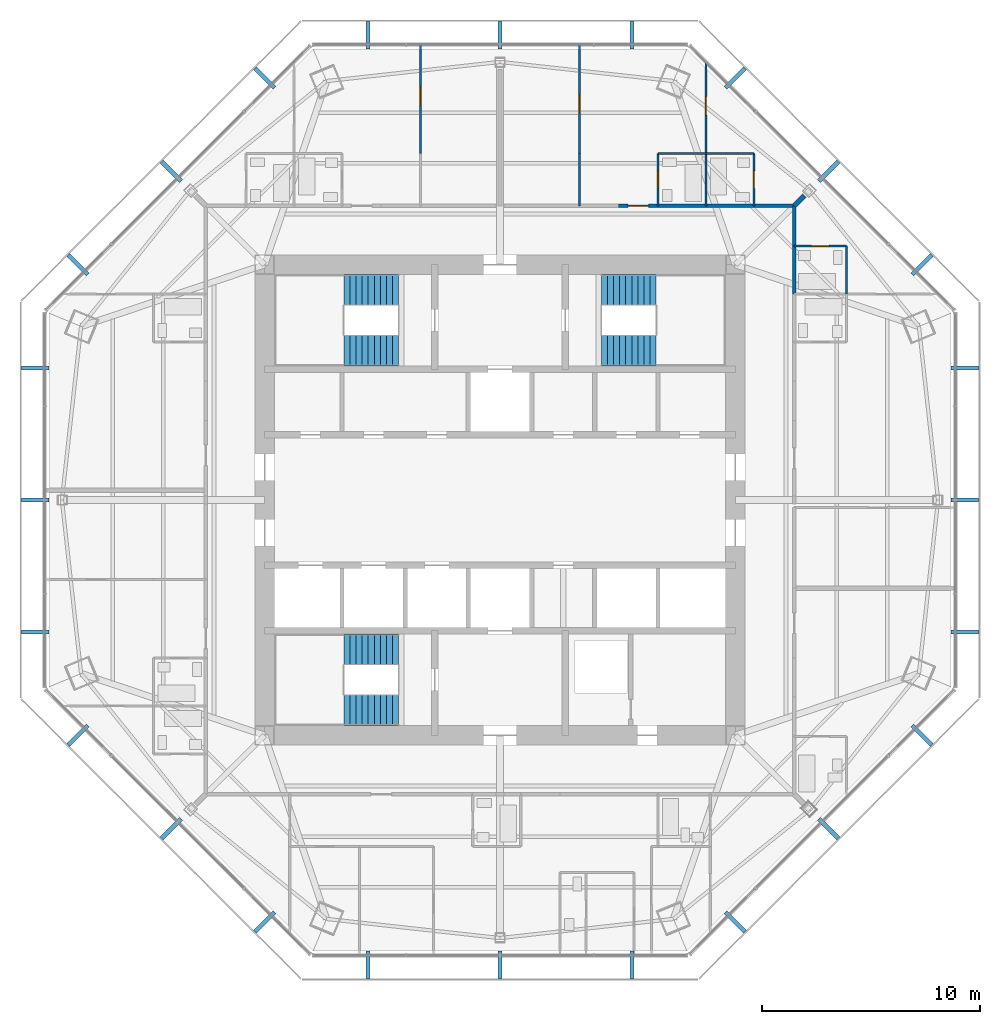
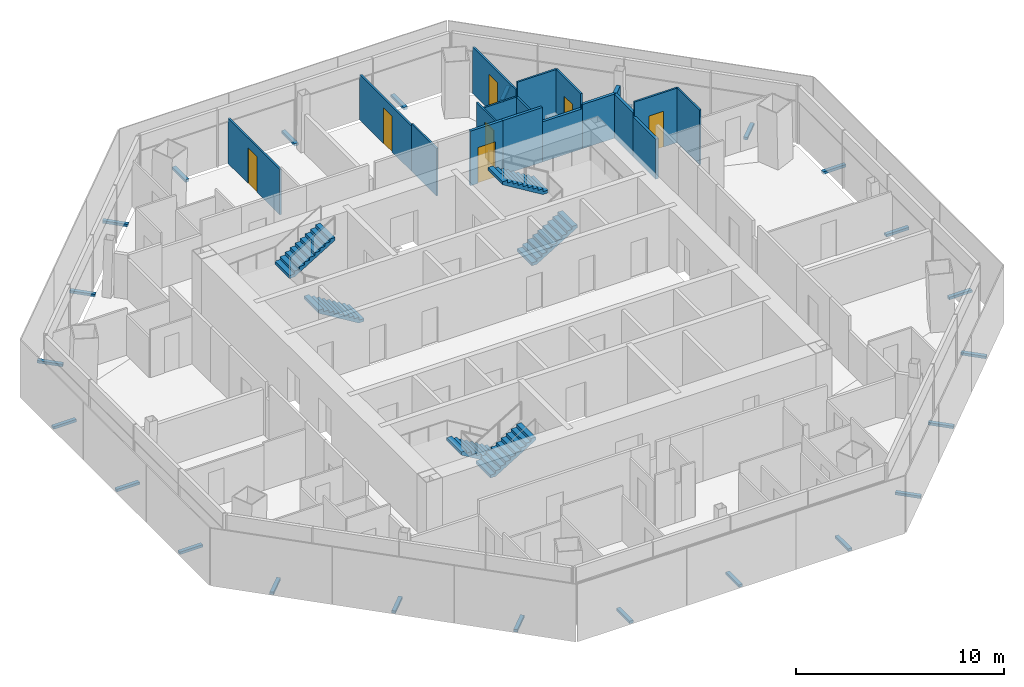
# One storey, part 12 of 14: 24 discrete accessories, 18 walls, 7 doors, 6 stair flights, 7 openings, 3 elements without a shape of their own.
"""IFC4 building model written with IfcOpenShell, lengths in metres."""

from ifc_helpers import new_model, si_unit, direction, frame, frame_2d, origin, origin_2d, place, context, subcontext, project, spatial, polyline, rectangle, outline, extrude, source, transform, mapped, material, layer, layer_set, type_object, type_shapes, element, fill, aggregate, save


model = new_model("IFC4")

# Units and contexts
model_context = context("Model", 3, precision=1e-05, world=origin(), true_north=direction((0.0, 1.0)))
body_context = subcontext(model_context, "Body", "Model", "MODEL_VIEW")
ifc_project = project(units=[si_unit("LENGTHUNIT", "METRE"), si_unit("AREAUNIT", "SQUARE_METRE"), si_unit("VOLUMEUNIT", "CUBIC_METRE"), si_unit("PLANEANGLEUNIT", "RADIAN"), si_unit("MASSUNIT", "GRAM", prefix="KILO")], contexts=[model_context])

# Site, building, storey
site_placement = place(None, origin())
site = spatial("IfcSite", under=ifc_project, at=site_placement, CompositionType="ELEMENT")
building_placement = place(site_placement, origin())
building = spatial("IfcBuilding", under=site, at=building_placement, Name="Mashrafa Tower", CompositionType="ELEMENT")
storey_placement = place(building_placement, frame((0.0, 0.0, 251.60009765625)))
storey = spatial("IfcBuildingStorey", under=building, at=storey_placement, Name="L60", CompositionType="ELEMENT", Elevation=251.60009765625)

# Walls
ifc_material_1 = material(Name="Gypsum board on steel studs", Category="steel")
ifc_layer_1 = layer(ifc_material_1, 0.199951171875)
ifc_layer_set_1 = layer_set([ifc_layer_1], Name="Acoustic partition 200 1 hr")
wall_type_1 = type_object("IfcWallType", Name="Acoustic partition 200 1 hr", PredefinedType="PARTITIONING", material=ifc_layer_set_1)
wall_1_placement = place(storey_placement, frame((13.97021484375, 13.97021484375, 0.0), z_axis=(0.0, 0.0, 1.0), x_axis=(-0.707106781187, -0.707106781187, 0.0)))
element("IfcWall", 1, at=wall_1_placement, inside=storey, type_object=wall_type_1, Name="Acoustic wall L60-055", PredefinedType="PARTITIONING", context=body_context, shape_type="SweptSolid", body=[
    extrude(rectangle(XDim=0.6650390625, YDim=0.199951171875, at=frame_2d((0.33251953125, 0.0))), origin(), (0.0, 0.0, 1.0), 2.587890625),
])
ifc_material_2 = material(Name="Gypsum board on steel studs", Category="steel")
ifc_layer_2 = layer(ifc_material_2, 0.14990234375)
ifc_layer_set_2 = layer_set([ifc_layer_2], Name="Corridor partition 150 1 hr")
wall_type_2 = type_object("IfcWallType", Name="Corridor partition 150 1 hr", PredefinedType="PARTITIONING", material=ifc_layer_set_2)
wall_2_placement = place(storey_placement, frame((13.5, 9.448974609375, 0.0), z_axis=(0.0, 0.0, 1.0), x_axis=(0.0, 1.0, 0.0)))
element("IfcWall", 2, at=wall_2_placement, inside=storey, type_object=wall_type_2, Name="Corridor wall L60-005", PredefinedType="PARTITIONING", context=body_context, shape_type="SweptSolid", body=[
    extrude(rectangle(XDim=2.201904296875, YDim=0.14990234375, at=frame_2d((1.10107421875, 0.0))), origin(), (0.0, 0.0, 1.0), 2.34912109375),
])
wall_3_placement = place(storey_placement, frame((13.5, 11.64892578125, 0.0), z_axis=(0.0, 0.0, 1.0), x_axis=(0.0, 1.0, 0.0)))
element("IfcWall", 3, at=wall_3_placement, inside=storey, type_object=wall_type_2, Name="Corridor wall L60-006", PredefinedType="PARTITIONING", context=body_context, shape_type="SweptSolid", body=[
    extrude(rectangle(XDim=1.85107421875, YDim=0.14990234375, at=frame_2d((0.925537109375, 0.0))), origin(), (0.0, 0.0, 1.0), 2.587890625),
])
wall_4_placement = place(storey_placement, frame((11.65087890625, 13.5, 0.0), z_axis=(0.0, 0.0, 1.0), x_axis=(-1.0, 0.0, 0.0)))
element("IfcWall", 4, at=wall_4_placement, inside=storey, type_object=wall_type_2, Name="Corridor wall L60-013", PredefinedType="PARTITIONING", context=body_context, shape_type="SweptSolid", body=[
    extrude(rectangle(XDim=2.201904296875, YDim=0.14990234375, at=frame_2d((1.10107421875, 0.0))), origin(), (0.0, 0.0, 1.0), 2.34912109375),
])
wall_5_placement = place(storey_placement, frame((13.5, 13.5, 0.0), z_axis=(0.0, 0.0, 1.0), x_axis=(-1.0, 0.0, 0.0)))
element("IfcWall", 5, at=wall_5_placement, inside=storey, type_object=wall_type_2, Name="Corridor wall L60-014", PredefinedType="PARTITIONING", context=body_context, shape_type="SweptSolid", body=[
    extrude(rectangle(XDim=1.85107421875, YDim=0.14990234375, at=frame_2d((0.925537109375, 0.0))), origin(), (0.0, 0.0, 1.0), 2.587890625),
])
wall_6_placement = place(storey_placement, frame((9.450927734375, 13.5, 0.0), z_axis=(0.0, 0.0, 1.0), x_axis=(-1.0, 0.0, 0.0)))
element("IfcWall", 6, at=wall_6_placement, inside=storey, type_object=wall_type_2, Name="Corridor wall L60-015", PredefinedType="PARTITIONING", context=body_context, shape_type="SweptSolid", body=[
    extrude(rectangle(XDim=2.201904296875, YDim=0.14990234375, at=frame_2d((1.10107421875, 0.0))), origin(), (0.0, 0.0, 1.0), 3.199951171875),
])

# Wall, opening, door
wall_7_placement = place(storey_placement, frame((7.2509765625, 13.5, 0.0), z_axis=(0.0, 0.0, 1.0), x_axis=(-1.0, 0.0, 0.0)))
wall_7 = element("IfcWall", 7, at=wall_7_placement, inside=storey, type_object=wall_type_2, Name="Corridor wall L60-018", PredefinedType="PARTITIONING", context=body_context, shape_type="SweptSolid", body=[
    extrude(rectangle(XDim=1.802001953125, YDim=0.14990234375, at=frame_2d((0.90087890625, 0.0))), origin(), (0.0, 0.0, 1.0), 3.199951171875),
])
opening_1_placement = place(wall_7_placement, frame((0.426025390625, 0.0, 0.0)))
opening_1 = element("IfcOpeningElement", 8, at=opening_1_placement, cuts=wall_7, Name="Opening 60.012", PredefinedType="OPENING", context=body_context, shape_type="SweptSolid", body=[
    extrude(rectangle(XDim=0.949951171875, YDim=2.10009765625, at=frame_2d((0.47509765625, 1.050048828125))), frame((0.0, 0.0849609375, 0.0), z_axis=(0.0, -1.0, 0.0), x_axis=(1.0, 0.0, 0.0)), (0.0, 0.0, 1.0), 0.169921875),
])
ifc_material_3 = material(Name="Steel door", Category="steel")
door_type_1 = type_object("IfcDoorType", Name="Residence entrance door 950 x 2100 20 min", OperationType="USERDEFINED", PredefinedType="DOOR", material=ifc_material_3)
door_1_placement = place(opening_1_placement, frame((0.949951171875, 0.0, 0.0), z_axis=(0.0, 0.0, 1.0), x_axis=(-1.0, 0.0, 0.0)))
door_1 = element("IfcDoor", 9, at=door_1_placement, inside=storey, type_object=door_type_1, Name="Apartment 6003 Living Room door", OperationType="SINGLE_SWING_LEFT", OverallHeight=2.10009765625, OverallWidth=0.949951171875, PredefinedType="DOOR", context=body_context, shape_type="SweptSolid", body=[
    extrude(rectangle(XDim=0.949951171875, YDim=2.10009765625, at=frame_2d((0.47509765625, 1.050048828125))), frame((0.0, 0.02490234375, 0.0), z_axis=(0.0, -1.0, 0.0), x_axis=(1.0, 0.0, 0.0)), (0.0, 0.0, 1.0), 0.050048828125),
])
fill(opening_1, door_1)

# Wall
ifc_material_4 = material(Name="Gypsum board on steel studs", Category="steel")
ifc_layer_3 = layer(ifc_material_4, 0.10009765625)
ifc_layer_set_3 = layer_set([ifc_layer_3], Name="Partition 100")
wall_type_3 = type_object("IfcWallType", Name="Partition 100", PredefinedType="PARTITIONING", material=ifc_layer_set_3)
wall_8_placement = place(storey_placement, frame((15.89990234375, 9.449951171875, 0.0), z_axis=(0.0, 0.0, 1.0), x_axis=(0.0, 1.0, 0.0)))
element("IfcWall", 10, at=wall_8_placement, inside=storey, type_object=wall_type_3, Name="Partition wall L60-051", PredefinedType="PARTITIONING", context=body_context, shape_type="SweptSolid", body=[
    extrude(rectangle(XDim=2.199951171875, YDim=0.10009765625, at=frame_2d((1.10009765625, 0.0))), origin(), (0.0, 0.0, 1.0), 3.199951171875),
])

# Wall, opening, door
wall_9_placement = place(storey_placement, frame((15.89990234375, 11.64990234375, 0.0), z_axis=(0.0, 0.0, 1.0), x_axis=(-1.0, 0.0, 0.0)))
wall_9 = element("IfcWall", 11, at=wall_9_placement, inside=storey, type_object=wall_type_3, Name="Partition wall L60-052", PredefinedType="PARTITIONING", context=body_context, shape_type="SweptSolid", body=[
    extrude(rectangle(XDim=2.39990234375, YDim=0.10009765625, at=frame_2d((1.199951171875, 0.0))), origin(), (0.0, 0.0, 1.0), 3.199951171875),
])
opening_2_placement = place(wall_9_placement, frame((0.800048828125, 0.0, 0.0)))
opening_2 = element("IfcOpeningElement", 12, at=opening_2_placement, cuts=wall_9, Name="Opening 60.003", PredefinedType="OPENING", context=body_context, shape_type="SweptSolid", body=[
    extrude(rectangle(XDim=0.800048828125, YDim=2.10009765625, at=frame_2d((0.39990234375, 1.050048828125))), frame((0.0, 0.06005859375, 0.0), z_axis=(0.0, -1.0, 0.0), x_axis=(1.0, 0.0, 0.0)), (0.0, 0.0, 1.0), 0.1201171875),
])
ifc_material_5 = material(Name="Timber door", Category="wood")
door_type_2 = type_object("IfcDoorType", Name="Bathroom door 800 x 2100", OperationType="USERDEFINED", PredefinedType="DOOR", material=ifc_material_5)
door_2_placement = place(opening_2_placement, origin())
door_2 = element("IfcDoor", 13, at=door_2_placement, inside=storey, type_object=door_type_2, Name="Apartment 6002 En-suite Bathroom door", OperationType="SINGLE_SWING_LEFT", OverallHeight=2.10009765625, OverallWidth=0.800048828125, PredefinedType="DOOR", context=body_context, shape_type="SweptSolid", body=[
    extrude(rectangle(XDim=0.800048828125, YDim=2.10009765625, at=frame_2d((0.39990234375, 1.050048828125))), frame((0.0, 0.02490234375, 0.0), z_axis=(0.0, -1.0, 0.0), x_axis=(1.0, 0.0, 0.0)), (0.0, 0.0, 1.0), 0.050048828125),
])
fill(opening_2, door_2)

wall_10_placement = place(storey_placement, frame((11.64990234375, 13.5, 0.0), z_axis=(0.0, 0.0, 1.0), x_axis=(0.0, 1.0, 0.0)))
wall_10 = element("IfcWall", 14, at=wall_10_placement, inside=storey, type_object=wall_type_3, Name="Partition wall L60-059", PredefinedType="PARTITIONING", context=body_context, shape_type="SweptSolid", body=[
    extrude(rectangle(XDim=2.39990234375, YDim=0.10009765625, at=frame_2d((1.199951171875, 0.0))), origin(), (0.0, 0.0, 1.0), 3.199951171875),
])
opening_3_placement = place(wall_10_placement, frame((0.800048828125, 0.0, 0.0)))
opening_3 = element("IfcOpeningElement", 15, at=opening_3_placement, cuts=wall_10, Name="Opening 60.008", PredefinedType="OPENING", context=body_context, shape_type="SweptSolid", body=[
    extrude(rectangle(XDim=0.800048828125, YDim=2.10009765625, at=frame_2d((0.39990234375, 1.050048828125))), frame((0.0, 0.06005859375, 0.0), z_axis=(0.0, -1.0, 0.0), x_axis=(1.0, 0.0, 0.0)), (0.0, 0.0, 1.0), 0.1201171875),
])
door_3_placement = place(opening_3_placement, origin())
door_3 = element("IfcDoor", 16, at=door_3_placement, inside=storey, type_object=door_type_2, Name="Apartment 6003 En-suite Bathroom door", OperationType="SINGLE_SWING_RIGHT", OverallHeight=2.10009765625, OverallWidth=0.800048828125, PredefinedType="DOOR", context=body_context, shape_type="SweptSolid", body=[
    extrude(rectangle(XDim=0.800048828125, YDim=2.10009765625, at=frame_2d((0.39990234375, 1.050048828125))), frame((0.0, 0.02490234375, 0.0), z_axis=(0.0, -1.0, 0.0), x_axis=(1.0, 0.0, 0.0)), (0.0, 0.0, 1.0), 0.050048828125),
])
fill(opening_3, door_3)

# Walls
wall_11_placement = place(storey_placement, frame((11.64990234375, 15.89990234375, 0.0), z_axis=(0.0, 0.0, 1.0), x_axis=(-1.0, 0.0, 0.0)))
element("IfcWall", 17, at=wall_11_placement, inside=storey, type_object=wall_type_3, Name="Partition wall L60-060", PredefinedType="PARTITIONING", context=body_context, shape_type="SweptSolid", body=[
    extrude(rectangle(XDim=2.199951171875, YDim=0.10009765625, at=frame_2d((1.10009765625, 0.0))), origin(), (0.0, 0.0, 1.0), 3.199951171875),
])
wall_12_placement = place(storey_placement, frame((9.449951171875, 15.89990234375, 0.0), z_axis=(0.0, 0.0, 1.0), x_axis=(0.0, -1.0, 0.0)))
element("IfcWall", 18, at=wall_12_placement, inside=storey, type_object=wall_type_3, Name="Partition wall L60-061", PredefinedType="PARTITIONING", context=body_context, shape_type="SweptSolid", body=[
    extrude(rectangle(XDim=2.39990234375, YDim=0.10009765625, at=frame_2d((1.199951171875, 0.0))), origin(), (0.0, 0.0, 1.0), 2.34912109375),
])

# Wall, opening, door
wall_13_placement = place(storey_placement, frame((9.449951171875, 20.08154296875, 0.0), z_axis=(0.0, 0.0, 1.0), x_axis=(0.0, -1.0, 0.0)))
wall_13 = element("IfcWall", 19, at=wall_13_placement, inside=storey, type_object=wall_type_3, Name="Partition wall L60-062", PredefinedType="PARTITIONING", context=body_context, shape_type="SweptSolid", body=[
    extrude(rectangle(XDim=4.181640625, YDim=0.10009765625, at=frame_2d((2.0908203125, 0.0))), origin(), (0.0, 0.0, 1.0), 2.740234375),
])
opening_4_placement = place(wall_13_placement, frame((1.569091796875, 0.0, 0.0)))
opening_4 = element("IfcOpeningElement", 20, at=opening_4_placement, cuts=wall_13, Name="Opening 60.009", PredefinedType="OPENING", context=body_context, shape_type="SweptSolid", body=[
    extrude(rectangle(XDim=0.85009765625, YDim=2.10009765625, at=frame_2d((0.425048828125, 1.050048828125))), frame((0.0, 0.06005859375, 0.0), z_axis=(0.0, -1.0, 0.0), x_axis=(1.0, 0.0, 0.0)), (0.0, 0.0, 1.0), 0.1201171875),
])
ifc_material_6 = material(Name="Timber door", Category="wood")
door_type_3 = type_object("IfcDoorType", Name="Bedroom door 850 x 2100", OperationType="USERDEFINED", PredefinedType="DOOR", material=ifc_material_6)
door_4_placement = place(opening_4_placement, origin())
door_4 = element("IfcDoor", 21, at=door_4_placement, inside=storey, type_object=door_type_3, Name="Apartment 6003 Bedroom 1 door", OperationType="SINGLE_SWING_LEFT", OverallHeight=2.10009765625, OverallWidth=0.85009765625, PredefinedType="DOOR", context=body_context, shape_type="SweptSolid", body=[
    extrude(rectangle(XDim=0.85009765625, YDim=2.10009765625, at=frame_2d((0.425048828125, 1.050048828125))), frame((0.0, 0.02490234375, 0.0), z_axis=(0.0, -1.0, 0.0), x_axis=(1.0, 0.0, 0.0)), (0.0, 0.0, 1.0), 0.050048828125),
])
fill(opening_4, door_4)

# Wall
wall_14_placement = place(storey_placement, frame((9.449951171875, 15.89990234375, 0.0), z_axis=(0.0, 0.0, 1.0), x_axis=(-1.0, 0.0, 0.0)))
element("IfcWall", 22, at=wall_14_placement, inside=storey, type_object=wall_type_3, Name="Partition wall L60-063", PredefinedType="PARTITIONING", context=body_context, shape_type="SweptSolid", body=[
    extrude(rectangle(XDim=2.199951171875, YDim=0.10009765625, at=frame_2d((1.10009765625, 0.0))), origin(), (0.0, 0.0, 1.0), 2.34912109375),
])

# Wall, opening, door
wall_15_placement = place(storey_placement, frame((7.25, 15.89990234375, 0.0), z_axis=(0.0, 0.0, 1.0), x_axis=(0.0, -1.0, 0.0)))
wall_15 = element("IfcWall", 23, at=wall_15_placement, inside=storey, type_object=wall_type_3, Name="Partition wall L60-064", PredefinedType="PARTITIONING", context=body_context, shape_type="SweptSolid", body=[
    extrude(rectangle(XDim=2.39990234375, YDim=0.10009765625, at=frame_2d((1.199951171875, 0.0))), origin(), (0.0, 0.0, 1.0), 2.783447265625),
])
opening_5_placement = place(wall_15_placement, frame((0.800048828125, 0.0, 0.0)))
opening_5 = element("IfcOpeningElement", 24, at=opening_5_placement, cuts=wall_15, Name="Opening 60.010", PredefinedType="OPENING", context=body_context, shape_type="SweptSolid", body=[
    extrude(rectangle(XDim=0.800048828125, YDim=2.10009765625, at=frame_2d((0.39990234375, 1.050048828125))), frame((0.0, 0.06005859375, 0.0), z_axis=(0.0, -1.0, 0.0), x_axis=(1.0, 0.0, 0.0)), (0.0, 0.0, 1.0), 0.1201171875),
])
door_5_placement = place(opening_5_placement, origin())
door_5 = element("IfcDoor", 25, at=door_5_placement, inside=storey, type_object=door_type_2, Name="Apartment 6003 Bathroom door", OperationType="SINGLE_SWING_LEFT", OverallHeight=2.10009765625, OverallWidth=0.800048828125, PredefinedType="DOOR", context=body_context, shape_type="SweptSolid", body=[
    extrude(rectangle(XDim=0.800048828125, YDim=2.10009765625, at=frame_2d((0.39990234375, 1.050048828125))), frame((0.0, 0.02490234375, 0.0), z_axis=(0.0, -1.0, 0.0), x_axis=(1.0, 0.0, 0.0)), (0.0, 0.0, 1.0), 0.050048828125),
])
fill(opening_5, door_5)

# Wall
wall_16_placement = place(storey_placement, frame((3.64990234375, 15.89990234375, 0.0), z_axis=(0.0, 0.0, 1.0), x_axis=(0.0, -1.0, 0.0)))
element("IfcWall", 26, at=wall_16_placement, inside=storey, type_object=wall_type_3, Name="Partition wall L60-065", PredefinedType="PARTITIONING", context=body_context, shape_type="SweptSolid", body=[
    extrude(rectangle(XDim=2.39990234375, YDim=0.10009765625, at=frame_2d((1.199951171875, 0.0))), origin(), (0.0, 0.0, 1.0), 2.783447265625),
])

# Wall, opening, door
wall_17_placement = place(storey_placement, frame((3.64990234375, 15.89892578125, 0.0), z_axis=(0.0, 0.0, 1.0), x_axis=(0.0, 1.0, 0.0)))
wall_17 = element("IfcWall", 27, at=wall_17_placement, inside=storey, type_object=wall_type_3, Name="Partition wall L60-066", PredefinedType="PARTITIONING", context=body_context, shape_type="SweptSolid", body=[
    extrude(rectangle(XDim=4.982421875, YDim=0.10009765625, at=frame_2d((2.4912109375, 0.0))), origin(), (0.0, 0.0, 1.0), 2.66162109375),
])
opening_6_placement = place(wall_17_placement, frame((1.84912109375, 0.0, 0.0)))
opening_6 = element("IfcOpeningElement", 28, at=opening_6_placement, cuts=wall_17, Name="Opening 60.011", PredefinedType="OPENING", context=body_context, shape_type="SweptSolid", body=[
    extrude(rectangle(XDim=0.85009765625, YDim=2.10009765625, at=frame_2d((0.425048828125, 1.050048828125))), frame((0.0, 0.06005859375, 0.0), z_axis=(0.0, -1.0, 0.0), x_axis=(1.0, 0.0, 0.0)), (0.0, 0.0, 1.0), 0.1201171875),
])
door_6_placement = place(opening_6_placement, origin())
door_6 = element("IfcDoor", 29, at=door_6_placement, inside=storey, type_object=door_type_3, Name="Apartment 6003 Bedroom 2 door", OperationType="SINGLE_SWING_RIGHT", OverallHeight=2.10009765625, OverallWidth=0.85009765625, PredefinedType="DOOR", context=body_context, shape_type="SweptSolid", body=[
    extrude(rectangle(XDim=0.85009765625, YDim=2.10009765625, at=frame_2d((0.425048828125, 1.050048828125))), frame((0.0, 0.02490234375, 0.0), z_axis=(0.0, -1.0, 0.0), x_axis=(1.0, 0.0, 0.0)), (0.0, 0.0, 1.0), 0.050048828125),
])
fill(opening_6, door_6)

wall_18_placement = place(storey_placement, frame((-3.64990234375, 20.88134765625, 0.0), z_axis=(0.0, 0.0, 1.0), x_axis=(0.0, -1.0, 0.0)))
wall_18 = element("IfcWall", 30, at=wall_18_placement, inside=storey, type_object=wall_type_3, Name="Partition wall L60-076", PredefinedType="PARTITIONING", context=body_context, shape_type="SweptSolid", body=[
    extrude(rectangle(XDim=4.982421875, YDim=0.10009765625, at=frame_2d((2.4912109375, 0.0))), origin(), (0.0, 0.0, 1.0), 2.66162109375),
])
opening_7_placement = place(wall_18_placement, frame((1.92822265625, 0.0, 0.0)))
opening_7 = element("IfcOpeningElement", 31, at=opening_7_placement, cuts=wall_18, Name="Opening 60.016", PredefinedType="OPENING", context=body_context, shape_type="SweptSolid", body=[
    extrude(rectangle(XDim=0.85009765625, YDim=2.10009765625, at=frame_2d((0.425048828125, 1.050048828125))), frame((0.0, 0.06005859375, 0.0), z_axis=(0.0, -1.0, 0.0), x_axis=(1.0, 0.0, 0.0)), (0.0, 0.0, 1.0), 0.1201171875),
])
door_7_placement = place(opening_7_placement, origin())
door_7 = element("IfcDoor", 32, at=door_7_placement, inside=storey, type_object=door_type_3, Name="Apartment 6004 Bedroom 2 door", OperationType="SINGLE_SWING_LEFT", OverallHeight=2.10009765625, OverallWidth=0.85009765625, PredefinedType="DOOR", context=body_context, shape_type="SweptSolid", body=[
    extrude(rectangle(XDim=0.85009765625, YDim=2.10009765625, at=frame_2d((0.425048828125, 1.050048828125))), frame((0.0, 0.02490234375, 0.0), z_axis=(0.0, -1.0, 0.0), x_axis=(1.0, 0.0, 0.0)), (0.0, 0.0, 1.0), 0.050048828125),
])
fill(opening_7, door_7)

# Stair, stair flights
ifc_material_7 = material(Name="Exit stair 1400")
stair_type = type_object("IfcStairType", Name="Exit stair 1400", PredefinedType="HALF_TURN_STAIR", material=ifc_material_7)
stair_1_placement = place(storey_placement, origin())
stair_1 = element("IfcStair", 33, at=stair_1_placement, inside=storey, type_object=stair_type, Name="Stair S1 L60", PredefinedType="HALF_TURN_STAIR")
ifc_material_8 = material(Name="Concrete C32/40", Category="concrete")
stair_flight_type = type_object("IfcStairFlightType", Name="Stair flight 1400", PredefinedType="STRAIGHT", material=ifc_material_8)
stair_flight_1_placement = place(storey_placement, frame((-4.64990234375, 6.85009765625, 0.0), z_axis=(0.0, 0.0, 1.0), x_axis=(-1.0, 0.0, 0.0)))
stair_flight_1 = element("IfcStairFlight", 34, at=stair_flight_1_placement, type_object=stair_flight_type, Name="S1 flight 1", NumberOfRisers=10, NumberOfTreads=9, PredefinedType="STRAIGHT", RiserHeight=0.17, TreadLength=0.28, context=body_context, shape_type="SweptSolid", body=[
    extrude(outline(polyline([(0.0, 0.0), (0.0, 0.169921875), (0.280029296875, 0.169921875), (0.280029296875, 0.340087890625), (0.56005859375, 0.340087890625), (0.56005859375, 0.510009765625), (0.840087890625, 0.510009765625), (0.840087890625, 0.679931640625), (1.1201171875, 0.679931640625), (1.1201171875, 0.85009765625), (1.39990234375, 0.85009765625), (1.39990234375, 1.02001953125), (1.679931640625, 1.02001953125), (1.679931640625, 1.18994140625), (1.9599609375, 1.18994140625), (1.9599609375, 1.360107421875), (2.239990234375, 1.360107421875), (2.239990234375, 1.530029296875), (2.52001953125, 1.530029296875), (2.52001953125, 1.699951171875), (2.52001953125, 1.354736328125), (0.288818359375, 0.0), (0.0, 0.0)])), frame((0.0, 0.699951171875, 0.0), z_axis=(0.0, -1.0, 0.0), x_axis=(1.0, 0.0, 0.0)), (0.0, 0.0, 1.0), 1.39990234375),
])
stair_flight_2_placement = place(storey_placement, frame((-7.169921875, 9.64990234375, 1.699951171875), z_axis=(0.0, 0.0, 1.0), x_axis=(1.0, 0.0, 0.0)))
stair_flight_2 = element("IfcStairFlight", 35, at=stair_flight_2_placement, type_object=stair_flight_type, Name="S1 flight 2", NumberOfRisers=10, NumberOfTreads=9, PredefinedType="STRAIGHT", RiserHeight=0.17, TreadLength=0.28, context=body_context, shape_type="SweptSolid", body=[
    extrude(outline(polyline([(0.0, 0.0), (0.0, 0.169921875), (0.280029296875, 0.169921875), (0.280029296875, 0.340087890625), (0.56005859375, 0.340087890625), (0.56005859375, 0.510009765625), (0.840087890625, 0.510009765625), (0.840087890625, 0.679931640625), (1.1201171875, 0.679931640625), (1.1201171875, 0.85009765625), (1.39990234375, 0.85009765625), (1.39990234375, 1.02001953125), (1.679931640625, 1.02001953125), (1.679931640625, 1.18994140625), (1.9599609375, 1.18994140625), (1.9599609375, 1.360107421875), (2.239990234375, 1.360107421875), (2.239990234375, 1.530029296875), (2.52001953125, 1.530029296875), (2.52001953125, 1.699951171875), (2.52001953125, 1.354736328125), (0.288818359375, 0.0), (0.0, 0.0)])), frame((0.0, 0.699951171875, 0.0), z_axis=(0.0, -1.0, 0.0), x_axis=(1.0, 0.0, 0.0)), (0.0, 0.0, 1.0), 1.39990234375),
])
aggregate(stair_1, [stair_flight_1, stair_flight_2])

stair_2_placement = place(storey_placement, origin())
stair_2 = element("IfcStair", 36, at=stair_2_placement, inside=storey, type_object=stair_type, Name="Stair S2 L60", PredefinedType="HALF_TURN_STAIR")
stair_flight_3_placement = place(storey_placement, frame((4.64990234375, 6.85009765625, 0.0), z_axis=(0.0, 0.0, 1.0), x_axis=(1.0, 0.0, 0.0)))
stair_flight_3 = element("IfcStairFlight", 37, at=stair_flight_3_placement, type_object=stair_flight_type, Name="S2 flight 1", NumberOfRisers=10, NumberOfTreads=9, PredefinedType="STRAIGHT", RiserHeight=0.17, TreadLength=0.28, context=body_context, shape_type="SweptSolid", body=[
    extrude(outline(polyline([(0.0, 0.0), (0.0, 0.169921875), (0.280029296875, 0.169921875), (0.280029296875, 0.340087890625), (0.56005859375, 0.340087890625), (0.56005859375, 0.510009765625), (0.840087890625, 0.510009765625), (0.840087890625, 0.679931640625), (1.1201171875, 0.679931640625), (1.1201171875, 0.85009765625), (1.39990234375, 0.85009765625), (1.39990234375, 1.02001953125), (1.679931640625, 1.02001953125), (1.679931640625, 1.18994140625), (1.9599609375, 1.18994140625), (1.9599609375, 1.360107421875), (2.239990234375, 1.360107421875), (2.239990234375, 1.530029296875), (2.52001953125, 1.530029296875), (2.52001953125, 1.699951171875), (2.52001953125, 1.354736328125), (0.288818359375, 0.0), (0.0, 0.0)])), frame((0.0, 0.699951171875, 0.0), z_axis=(0.0, -1.0, 0.0), x_axis=(1.0, 0.0, 0.0)), (0.0, 0.0, 1.0), 1.39990234375),
])
stair_flight_4_placement = place(storey_placement, frame((7.169921875, 9.64990234375, 1.699951171875), z_axis=(0.0, 0.0, 1.0), x_axis=(-1.0, 0.0, 0.0)))
stair_flight_4 = element("IfcStairFlight", 38, at=stair_flight_4_placement, type_object=stair_flight_type, Name="S2 flight 2", NumberOfRisers=10, NumberOfTreads=9, PredefinedType="STRAIGHT", RiserHeight=0.17, TreadLength=0.28, context=body_context, shape_type="SweptSolid", body=[
    extrude(outline(polyline([(0.0, 0.0), (0.0, 0.169921875), (0.280029296875, 0.169921875), (0.280029296875, 0.340087890625), (0.56005859375, 0.340087890625), (0.56005859375, 0.510009765625), (0.840087890625, 0.510009765625), (0.840087890625, 0.679931640625), (1.1201171875, 0.679931640625), (1.1201171875, 0.85009765625), (1.39990234375, 0.85009765625), (1.39990234375, 1.02001953125), (1.679931640625, 1.02001953125), (1.679931640625, 1.18994140625), (1.9599609375, 1.18994140625), (1.9599609375, 1.360107421875), (2.239990234375, 1.360107421875), (2.239990234375, 1.530029296875), (2.52001953125, 1.530029296875), (2.52001953125, 1.699951171875), (2.52001953125, 1.354736328125), (0.288818359375, 0.0), (0.0, 0.0)])), frame((0.0, 0.699951171875, 0.0), z_axis=(0.0, -1.0, 0.0), x_axis=(1.0, 0.0, 0.0)), (0.0, 0.0, 1.0), 1.39990234375),
])
aggregate(stair_2, [stair_flight_3, stair_flight_4])

stair_3_placement = place(storey_placement, origin())
stair_3 = element("IfcStair", 39, at=stair_3_placement, inside=storey, type_object=stair_type, Name="Stair S3 L60", PredefinedType="HALF_TURN_STAIR")
stair_flight_5_placement = place(storey_placement, frame((-4.64990234375, -6.85009765625, 0.0), z_axis=(0.0, 0.0, 1.0), x_axis=(-1.0, 0.0, 0.0)))
stair_flight_5 = element("IfcStairFlight", 40, at=stair_flight_5_placement, type_object=stair_flight_type, Name="S3 flight 1", NumberOfRisers=10, NumberOfTreads=9, PredefinedType="STRAIGHT", RiserHeight=0.17, TreadLength=0.28, context=body_context, shape_type="SweptSolid", body=[
    extrude(outline(polyline([(0.0, 0.0), (0.0, 0.169921875), (0.280029296875, 0.169921875), (0.280029296875, 0.340087890625), (0.56005859375, 0.340087890625), (0.56005859375, 0.510009765625), (0.840087890625, 0.510009765625), (0.840087890625, 0.679931640625), (1.1201171875, 0.679931640625), (1.1201171875, 0.85009765625), (1.39990234375, 0.85009765625), (1.39990234375, 1.02001953125), (1.679931640625, 1.02001953125), (1.679931640625, 1.18994140625), (1.9599609375, 1.18994140625), (1.9599609375, 1.360107421875), (2.239990234375, 1.360107421875), (2.239990234375, 1.530029296875), (2.52001953125, 1.530029296875), (2.52001953125, 1.699951171875), (2.52001953125, 1.354736328125), (0.288818359375, 0.0), (0.0, 0.0)])), frame((0.0, 0.699951171875, 0.0), z_axis=(0.0, -1.0, 0.0), x_axis=(1.0, 0.0, 0.0)), (0.0, 0.0, 1.0), 1.39990234375),
])
stair_flight_6_placement = place(storey_placement, frame((-7.169921875, -9.64990234375, 1.699951171875), z_axis=(0.0, 0.0, 1.0), x_axis=(1.0, 0.0, 0.0)))
stair_flight_6 = element("IfcStairFlight", 41, at=stair_flight_6_placement, type_object=stair_flight_type, Name="S3 flight 2", NumberOfRisers=10, NumberOfTreads=9, PredefinedType="STRAIGHT", RiserHeight=0.17, TreadLength=0.28, context=body_context, shape_type="SweptSolid", body=[
    extrude(outline(polyline([(0.0, 0.0), (0.0, 0.169921875), (0.280029296875, 0.169921875), (0.280029296875, 0.340087890625), (0.56005859375, 0.340087890625), (0.56005859375, 0.510009765625), (0.840087890625, 0.510009765625), (0.840087890625, 0.679931640625), (1.1201171875, 0.679931640625), (1.1201171875, 0.85009765625), (1.39990234375, 0.85009765625), (1.39990234375, 1.02001953125), (1.679931640625, 1.02001953125), (1.679931640625, 1.18994140625), (1.9599609375, 1.18994140625), (1.9599609375, 1.360107421875), (2.239990234375, 1.360107421875), (2.239990234375, 1.530029296875), (2.52001953125, 1.530029296875), (2.52001953125, 1.699951171875), (2.52001953125, 1.354736328125), (0.288818359375, 0.0), (0.0, 0.0)])), frame((0.0, 0.699951171875, 0.0), z_axis=(0.0, -1.0, 0.0), x_axis=(1.0, 0.0, 0.0)), (0.0, 0.0, 1.0), 1.39990234375),
])
aggregate(stair_3, [stair_flight_5, stair_flight_6])

# Discrete accessories
ifc_material_9 = material(Name="Stainless steel screen bracket", Category="steel")
discrete_accessory_type = type_object("IfcDiscreteAccessoryType", Name="Screen support bracket 200 x 150", PredefinedType="BRACKET", material=ifc_material_9)
shared_shape = source(origin(), body_context, "Body", "SweptSolid", [
    extrude(rectangle(XDim=0.199951171875, YDim=1.27001953125, at=origin_2d()), origin(), (0.0, 0.0, 1.0), 0.14990234375),
])
type_shapes(discrete_accessory_type, [shared_shape])
for number, where, z_axis, x_axis, name in (
    (42, (21.332275390625, -6.059326171875, -0.150146484375), (0.0, 0.0, 1.0), (0.0, 1.0, 0.0), "Screen support bracket L60 east 1"),
    (43, (21.332275390625, 0.0, -0.150146484375), (0.0, 0.0, 1.0), (0.0, 1.0, 0.0), "Screen support bracket L60 east 2"),
    (44, (21.332275390625, 6.059326171875, -0.150146484375), (0.0, 0.0, 1.0), (0.0, 1.0, 0.0), "Screen support bracket L60 east 3"),
    (45, (19.368896484375, 10.799560546875, -0.150146484375), (0.0, 0.0, 1.0), (-0.707106781187, 0.707106781187, 0.0), "Screen support bracket L60 north-east 1"),
    (46, (15.084228515625, 15.084228515625, -0.150146484375), (0.0, 0.0, 1.0), (-0.707106781187, 0.707106781187, 0.0), "Screen support bracket L60 north-east 2"),
    (47, (10.799560546875, 19.368896484375, -0.150146484375), (0.0, 0.0, 1.0), (-0.707106781187, 0.707106781187, 0.0), "Screen support bracket L60 north-east 3"),
    (48, (6.059326171875, 21.332275390625, -0.150146484375), (0.0, 0.0, 1.0), (-1.0, 0.0, 0.0), "Screen support bracket L60 north 1"),
    (49, (0.0, 21.332275390625, -0.150146484375), (0.0, 0.0, 1.0), (-1.0, 0.0, 0.0), "Screen support bracket L60 north 2"),
    (50, (-6.059326171875, 21.332275390625, -0.150146484375), (0.0, 0.0, 1.0), (-1.0, 0.0, 0.0), "Screen support bracket L60 north 3"),
    (51, (-10.799560546875, 19.368896484375, -0.150146484375), (0.0, 0.0, 1.0), (-0.707106781187, -0.707106781187, 0.0), "Screen support bracket L60 north-west 1"),
    (52, (-15.084228515625, 15.084228515625, -0.150146484375), (0.0, 0.0, 1.0), (-0.707106781187, -0.707106781187, 0.0), "Screen support bracket L60 north-west 2"),
    (53, (-19.368896484375, 10.799560546875, -0.150146484375), (0.0, 0.0, 1.0), (-0.707106781187, -0.707106781187, 0.0), "Screen support bracket L60 north-west 3"),
    (54, (-21.332275390625, 6.059326171875, -0.150146484375), (0.0, 0.0, 1.0), (0.0, -1.0, 0.0), "Screen support bracket L60 west 1"),
    (55, (-21.332275390625, 0.0, -0.150146484375), (0.0, 0.0, 1.0), (0.0, -1.0, 0.0), "Screen support bracket L60 west 2"),
    (56, (-21.332275390625, -6.059326171875, -0.150146484375), (0.0, 0.0, 1.0), (0.0, -1.0, 0.0), "Screen support bracket L60 west 3"),
    (57, (-19.368896484375, -10.799560546875, -0.150146484375), (0.0, 0.0, 1.0), (0.707106781187, -0.707106781187, 0.0), "Screen support bracket L60 south-west 1"),
    (58, (-15.084228515625, -15.084228515625, -0.150146484375), (0.0, 0.0, 1.0), (0.707106781187, -0.707106781187, 0.0), "Screen support bracket L60 south-west 2"),
    (59, (-10.799560546875, -19.368896484375, -0.150146484375), (0.0, 0.0, 1.0), (0.707106781187, -0.707106781187, 0.0), "Screen support bracket L60 south-west 3"),
    (60, (-6.059326171875, -21.332275390625, -0.150146484375), (0.0, 0.0, 1.0), (1.0, 0.0, 0.0), "Screen support bracket L60 south 1"),
    (61, (0.0, -21.332275390625, -0.150146484375), (0.0, 0.0, 1.0), (1.0, 0.0, 0.0), "Screen support bracket L60 south 2"),
    (62, (6.059326171875, -21.332275390625, -0.150146484375), (0.0, 0.0, 1.0), (1.0, 0.0, 0.0), "Screen support bracket L60 south 3"),
    (63, (10.799560546875, -19.368896484375, -0.150146484375), (0.0, 0.0, 1.0), (0.707106781187, 0.707106781187, 0.0), "Screen support bracket L60 south-east 1"),
    (64, (15.084228515625, -15.084228515625, -0.150146484375), (0.0, 0.0, 1.0), (0.707106781187, 0.707106781187, 0.0), "Screen support bracket L60 south-east 2"),
    (65, (19.368896484375, -10.799560546875, -0.150146484375), (0.0, 0.0, 1.0), (0.707106781187, 0.707106781187, 0.0), "Screen support bracket L60 south-east 3"),
):
    element("IfcDiscreteAccessory", number, at=place(storey_placement, frame(where, z_axis=z_axis, x_axis=x_axis)), inside=storey, type_object=discrete_accessory_type, Name=name, PredefinedType="BRACKET", context=body_context, shape_type="MappedRepresentation", body=[
        mapped(shared_shape, transform((0.0, 0.0, 0.0))),
    ])

save(model, "model.ifc")
